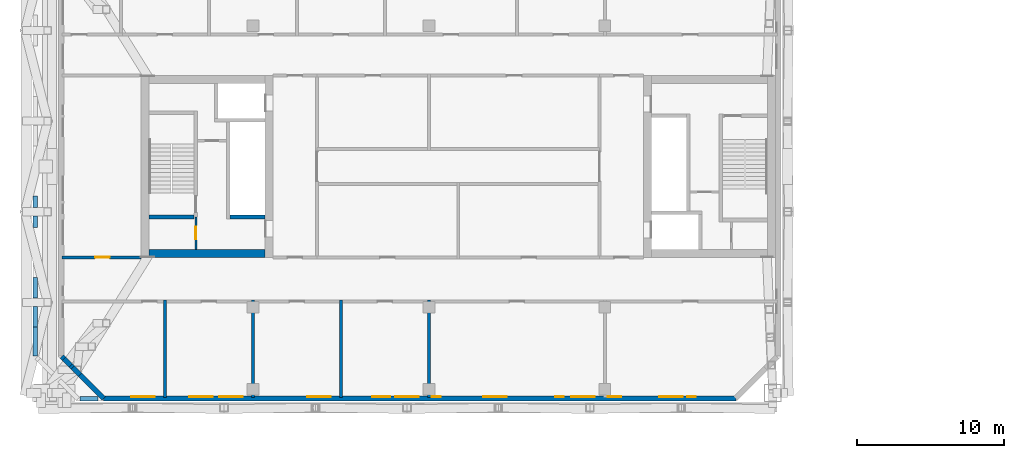
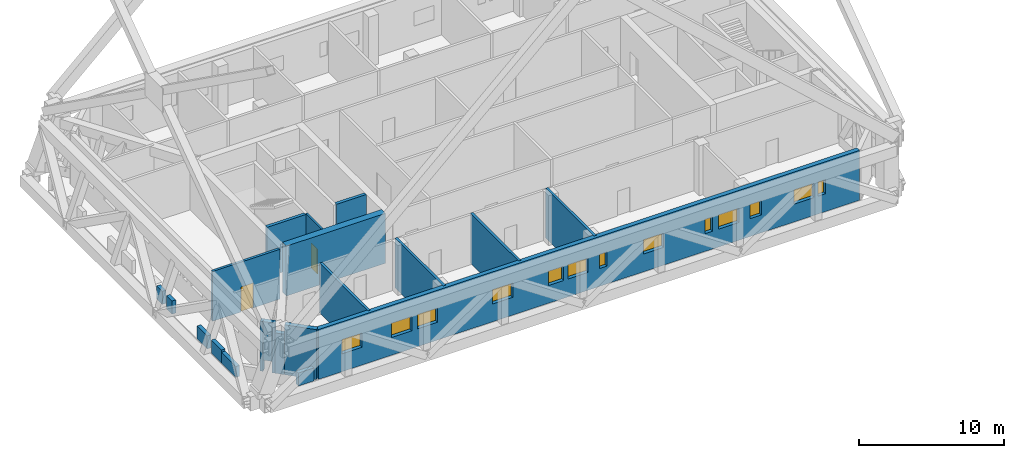
# One storey, part 7 of 22: 21 walls, 13 windows, 2 doors, 15 openings.
"""IFC4 building model written with IfcOpenShell, lengths in metres."""

import ifcopenshell
import ifcopenshell.guid

model = None  # the IFC model being written
_history = None  # IfcOwnerHistory: only IFC2X3 demands one
_inside = {}  # id of a spatial element -> (the spatial element, [elements in it])
_under = {}  # id of a project, library or spatial element -> (it, [spatial elements below it])
_declared = {}  # id of a project -> (the project, [libraries it declares])
_typed = {}  # id of a type object -> (the type object, [elements of that type])
_made_of = {}  # id of a material, layer set ... -> (it, [elements and type objects made of it])


def new_model(schema):
    """Start an empty IFC model of exactly this schema.

    Asked for "IFC4X3", IfcOpenShell would pick the latest addendum, in which some entities
    have other attributes; the version numbers below select the first issue.
    IFC2X3 requires an IfcOwnerHistory on every rooted entity: one is made here for all.
    """
    global model, _history
    if schema == "IFC4X3":
        model = ifcopenshell.file(schema_version=(4, 3, 0, 0))
    else:
        model = ifcopenshell.file(schema=schema)
    _inside.clear()
    _under.clear()
    _declared.clear()
    _typed.clear()
    _made_of.clear()
    _history = None
    if model.schema == "IFC2X3":
        org = make("IfcOrganization", Name="unknown")
        user = make(
            "IfcPersonAndOrganization",
            ThePerson=make("IfcPerson", FamilyName="unknown"),
            TheOrganization=org,
        )
        app = make(
            "IfcApplication",
            ApplicationDeveloper=org,
            Version="unknown",
            ApplicationFullName="unknown",
            ApplicationIdentifier="unknown",
        )
        _history = make(
            "IfcOwnerHistory",
            OwningUser=user,
            OwningApplication=app,
            ChangeAction="ADDED",
            CreationDate=0,
        )
    return model


def make(cls, **values):
    """One entity of the class cls with the attributes given. An attribute that is None is left unset."""
    return model.create_entity(
        cls, **{name: value for name, value in values.items() if value is not None}
    )


def rooted(cls, **values):
    """An entity with a GlobalId (a new one), such as an element, a storey or a relation."""
    return make(cls, GlobalId=ifcopenshell.guid.new(), OwnerHistory=_history, **values)


def si_unit(unit_type, name, prefix=None):
    """IfcSIUnit, for example si_unit("LENGTHUNIT", "METRE", prefix="MILLI")."""
    return make("IfcSIUnit", UnitType=unit_type, Prefix=prefix, Name=name)


def assignment(units):
    """IfcUnitAssignment: the units of a project."""
    return None if units is None else make("IfcUnitAssignment", Units=units)


def point(xyz):
    """IfcCartesianPoint."""
    return None if xyz is None else make("IfcCartesianPoint", Coordinates=xyz)


def direction(xyz):
    """IfcDirection."""
    return None if xyz is None else make("IfcDirection", DirectionRatios=xyz)


def frame(location, z_axis=None, x_axis=None):
    """IfcAxis2Placement3D, a coordinate frame: its origin and axes. An axis left out is left unset."""
    return make(
        "IfcAxis2Placement3D",
        Location=point(location),
        Axis=direction(z_axis),
        RefDirection=direction(x_axis),
    )


def frame_2d(location, x_axis=None):
    """IfcAxis2Placement2D, a coordinate frame in the plane: its origin and x axis."""
    return make(
        "IfcAxis2Placement2D", Location=point(location), RefDirection=direction(x_axis)
    )


def origin():
    """The frame at (0, 0, 0) with its axes left unset."""
    return frame((0.0, 0.0, 0.0))


def place(relative_to, where):
    """IfcLocalPlacement: puts the frame where relative to a parent placement (None: the world)."""
    return make(
        "IfcLocalPlacement", PlacementRelTo=relative_to, RelativePlacement=where
    )


def context(
    kind, dimensions, precision=None, world=None, true_north=None, identifier=None
):
    """IfcGeometricRepresentationContext, for example the 3D "Model" context."""
    return make(
        "IfcGeometricRepresentationContext",
        ContextIdentifier=identifier,
        ContextType=kind,
        CoordinateSpaceDimension=dimensions,
        Precision=precision,
        WorldCoordinateSystem=world,
        TrueNorth=true_north,
    )


def subcontext(parent, identifier, kind, view, scale=None):
    """IfcGeometricRepresentationSubContext, for example "Body" below "Model"."""
    return make(
        "IfcGeometricRepresentationSubContext",
        ContextIdentifier=identifier,
        ContextType=kind,
        ParentContext=parent,
        TargetScale=scale,
        TargetView=view,
    )


def project(units=None, contexts=None):
    """IfcProject with its units and contexts."""
    return rooted(
        "IfcProject",
        Name="project",
        RepresentationContexts=contexts,
        UnitsInContext=assignment(units),
    )


def spatial(cls, under=None, at=None, **own):
    """A site, building, storey or space (cls), placed at a placement, below another one or the project."""
    s = rooted(cls, ObjectPlacement=at, **own)
    if under is not None:
        _under.setdefault(under.id(), (under, []))[1].append(s)
    return s


def profile(cls, at=None, kind="AREA", **sizes):
    """A parametric profile (cls). Its sizes go by their IFC names, for example OverallWidth=200.0."""
    return make(cls, ProfileType=kind, Position=at, **sizes)


def rectangle(**sizes):
    """IfcRectangleProfileDef."""
    return profile("IfcRectangleProfileDef", **sizes)


def extrude(swept, where, along, depth):
    """IfcExtrudedAreaSolid: the profile swept, set in the frame where, extruded along a direction by depth."""
    return make(
        "IfcExtrudedAreaSolid",
        SweptArea=swept,
        Position=where,
        ExtrudedDirection=direction(along),
        Depth=depth,
    )


def shape(context_of_items, identifier, shape_type, items):
    """IfcShapeRepresentation: the items that make up one representation, for example the "Body"."""
    return make(
        "IfcShapeRepresentation",
        ContextOfItems=context_of_items,
        RepresentationIdentifier=identifier,
        RepresentationType=shape_type,
        Items=items,
    )


def material(Name=None, Category=None):
    """IfcMaterial."""
    return make("IfcMaterial", Name=Name, Category=Category)


def layer(
    of_material, thickness, ventilated=None, Name=None, Category=None, Priority=None
):
    """IfcMaterialLayer: one layer of a wall or slab, of a material (None: an air gap)."""
    return make(
        "IfcMaterialLayer",
        Material=of_material,
        LayerThickness=thickness,
        IsVentilated=ventilated,
        Name=Name,
        Category=Category,
        Priority=Priority,
    )


def layer_set(layers, Name=None):
    """IfcMaterialLayerSet."""
    return make("IfcMaterialLayerSet", MaterialLayers=layers, LayerSetName=Name)


def made_of(thing, what):
    """Note that an element or type object is made of a material, layer set ...; save() writes the relation."""
    if what is not None:
        _made_of.setdefault(what.id(), (what, []))[1].append(thing)
    return thing


def type_object(cls, material=None, **own):
    """A type object (cls), such as IfcWallType, which elements share."""
    return made_of(rooted(cls, **own), material)


def element(
    cls,
    number,
    at=None,
    inside=None,
    cuts=None,
    type_object=None,
    material=None,
    context=None,
    identifier="Body",
    shape_type=None,
    held_by="IfcProductDefinitionShape",
    body=None,
    shapes=None,
    **own,
):
    """One element of the class cls, such as IfcWall. Its Tag is "e" and its number.

    at: its placement. inside: the storey or other place that contains it. cuts: it is an
    opening in that element (IfcRelVoidsElement). A single representation is given by context,
    identifier, shape_type and body (its items); several are given by shapes. held_by: the class
    of the entity that holds the representations. save() writes the other relations.
    """
    e = rooted(cls, Tag="e%d" % number, ObjectPlacement=at, **own)
    if body is not None:
        shapes = [shape(context, identifier, shape_type, body)]
    if shapes is not None:
        e.Representation = make(held_by, Representations=shapes)
    if inside is not None:
        _inside.setdefault(inside.id(), (inside, []))[1].append(e)
    if cuts is not None:
        rooted(
            "IfcRelVoidsElement", RelatingBuildingElement=cuts, RelatedOpeningElement=e
        )
    if type_object is not None:
        _typed.setdefault(type_object.id(), (type_object, []))[1].append(e)
    return made_of(e, material)


def fill(opening, filler):
    """IfcRelFillsElement: the door or window that sits in an opening."""
    return rooted(
        "IfcRelFillsElement",
        RelatingOpeningElement=opening,
        RelatedBuildingElement=filler,
    )


def aggregate(whole, parts):
    """IfcRelAggregates: a whole, such as a stair, and the parts it consists of."""
    return rooted("IfcRelAggregates", RelatingObject=whole, RelatedObjects=parts)


def save(model, path):
    """Write the relations noted so far, then the file.

    IfcRelAggregates (storeys below a building ...), IfcRelContainedInSpatialStructure (elements
    in a storey), IfcRelDefinesByType, IfcRelAssociatesMaterial and IfcRelDeclares: one each for
    every whole, place, type object, material and project.
    """
    for whole, parts in _under.values():
        aggregate(whole, parts)
    for where, things in _inside.values():
        rooted(
            "IfcRelContainedInSpatialStructure",
            RelatedElements=things,
            RelatingStructure=where,
        )
    for kind, things in _typed.values():
        rooted("IfcRelDefinesByType", RelatedObjects=things, RelatingType=kind)
    for what, things in _made_of.values():
        rooted("IfcRelAssociatesMaterial", RelatedObjects=things, RelatingMaterial=what)
    for by, libraries in _declared.values():
        rooted("IfcRelDeclares", RelatingContext=by, RelatedDefinitions=libraries)
    model.write(path)


model = new_model("IFC4")

# Units and contexts
model_context = context("Model", 3, precision=1e-05, world=origin(), true_north=direction((0.0, 1.0)))
body_context = subcontext(model_context, "Body", "Model", "MODEL_VIEW")
ifc_project = project(units=[si_unit("LENGTHUNIT", "METRE"), si_unit("AREAUNIT", "SQUARE_METRE"), si_unit("VOLUMEUNIT", "CUBIC_METRE"), si_unit("PLANEANGLEUNIT", "RADIAN"), si_unit("MASSUNIT", "GRAM", prefix="KILO")], contexts=[model_context])

# Site, building, storey
site_placement = place(None, origin())
site = spatial("IfcSite", under=ifc_project, at=site_placement, CompositionType="ELEMENT")
building_placement = place(site_placement, origin())
building = spatial("IfcBuilding", under=site, at=building_placement, Name="Tuart Gate Housing", CompositionType="ELEMENT")
storey_placement = place(building_placement, frame((0.0, 0.0, 115.0)))
storey = spatial("IfcBuildingStorey", under=building, at=storey_placement, Name="L32", CompositionType="ELEMENT", Elevation=115.0)

# Walls
ifc_material_1 = material(Name="Brick", Category="masonry")
ifc_layer_1 = layer(ifc_material_1, 0.300048828125)
ifc_layer_set_1 = layer_set([ifc_layer_1], Name="Brick parapet wall 300")
wall_type_1 = type_object("IfcWallType", Name="Brick parapet wall 300", PredefinedType="PARAPET", material=ifc_layer_set_1)
for number, where, z_axis, x_axis, name in (
    (1, (25.14990234375, 67.96826171875, 0.0), (0.0, 0.0, 1.0), (0.0, -1.0, 0.0), "Roof parapet A 3"),
    (2, (25.14990234375, 66.626953125, 0.0), (0.0, 0.0, 1.0), (0.0, -1.0, 0.0), "Roof parapet A 3"),
):
    element("IfcWall", number, at=place(storey_placement, frame(where, z_axis=z_axis, x_axis=x_axis)), inside=storey, type_object=wall_type_1, Name=name, PredefinedType="PARAPET", context=body_context, shape_type="SweptSolid", body=[
        extrude(rectangle(XDim=0.775146484375, YDim=0.300048828125, at=frame_2d((0.3876953125, 0.0))), origin(), (0.0, 0.0, 1.0), 1.10009765625),
    ])
for number, where, z_axis, x_axis, name in (
    (3, (25.14990234375, 62.416015625, 0.0), (0.0, 0.0, 1.0), (0.0, -1.0, 0.0), "Roof parapet A 3"),
    (4, (25.14990234375, 60.447021484375, 0.0), (0.0, 0.0, 1.0), (0.0, -1.0, 0.0), "Roof parapet A 3"),
):
    element("IfcWall", number, at=place(storey_placement, frame(where, z_axis=z_axis, x_axis=x_axis)), inside=storey, type_object=wall_type_1, Name=name, PredefinedType="PARAPET", context=body_context, shape_type="SweptSolid", body=[
        extrude(rectangle(XDim=1.403076171875, YDim=0.300048828125, at=frame_2d((0.70166015625, 0.0))), origin(), (0.0, 0.0, 1.0), 1.10009765625),
    ])
wall_1_placement = place(storey_placement, frame((25.14990234375, 59.0439453125, 0.0), z_axis=(0.0, 0.0, 1.0), x_axis=(0.0, -1.0, 0.0)))
element("IfcWall", 5, at=wall_1_placement, inside=storey, type_object=wall_type_1, Name="Roof parapet A 3", PredefinedType="PARAPET", context=body_context, shape_type="SweptSolid", body=[
    extrude(rectangle(XDim=1.98193359375, YDim=0.300048828125, at=frame_2d((0.990966796875, 0.0))), origin(), (0.0, 0.0, 1.0), 0.91650390625),
])
wall_2_placement = place(storey_placement, frame((28.214111328125, 54.14990234375, 0.0), z_axis=(0.0, 0.0, 1.0), x_axis=(1.0, 0.0, 0.0)))
element("IfcWall", 6, at=wall_2_placement, inside=storey, type_object=wall_type_1, Name="Roof parapet A 5", PredefinedType="PARAPET", context=body_context, shape_type="SweptSolid", body=[
    extrude(rectangle(XDim=1.23583984375, YDim=0.300048828125, at=frame_2d((0.617919921875, 0.0))), origin(), (0.0, 0.0, 1.0), 1.10009765625),
])
ifc_material_2 = material(Name="Brick", Category="masonry")
ifc_layer_2 = layer(ifc_material_2, 0.360107421875)
ifc_layer_set_2 = layer_set([ifc_layer_2], Name="Brick pier and spandrel wall 360")
wall_type_2 = type_object("IfcWallType", Name="Brick pier and spandrel wall 360", PredefinedType="STANDARD", material=ifc_layer_set_2)
wall_3_placement = place(storey_placement, frame((26.96533203125, 57.039306640625, 0.0), z_axis=(0.0, 0.0, 1.0), x_axis=(0.707106781187, -0.707106781187, 0.0)))
element("IfcWall", 7, at=wall_3_placement, inside=storey, type_object=wall_type_2, Name="External wall A-SW L32", PredefinedType="STANDARD", context=body_context, shape_type="SweptSolid", body=[
    extrude(rectangle(XDim=0.224365234375, YDim=0.360107421875, at=frame_2d((0.1123046875, 0.0))), origin(), (0.0, 0.0, 1.0), 4.199951171875),
])
wall_4_placement = place(storey_placement, frame((27.1240234375, 56.880615234375, 0.952880859375), z_axis=(0.0, 0.0, 1.0), x_axis=(0.707106781187, -0.707106781187, 0.0)))
element("IfcWall", 8, at=wall_4_placement, inside=storey, type_object=wall_type_2, Name="External wall A-SW L32", PredefinedType="STANDARD", context=body_context, shape_type="SweptSolid", body=[
    extrude(rectangle(XDim=0.652099609375, YDim=0.360107421875, at=frame_2d((0.326171875, 0.0))), origin(), (0.0, 0.0, 1.0), 3.2470703125),
])
wall_5_placement = place(storey_placement, frame((27.585205078125, 56.41943359375, 0.0), z_axis=(0.0, 0.0, 1.0), x_axis=(0.707106781187, -0.707106781187, 0.0)))
element("IfcWall", 9, at=wall_5_placement, inside=storey, type_object=wall_type_2, Name="External wall A-SW L32", PredefinedType="STANDARD", context=body_context, shape_type="SweptSolid", body=[
    extrude(rectangle(XDim=0.18603515625, YDim=0.360107421875, at=frame_2d((0.093017578125, 0.0))), origin(), (0.0, 0.0, 1.0), 4.199951171875),
])
wall_6_placement = place(storey_placement, frame((27.716796875, 56.287841796875, 0.0), z_axis=(0.0, 0.0, 1.0), x_axis=(0.707106781187, -0.707106781187, 0.0)))
element("IfcWall", 10, at=wall_6_placement, inside=storey, type_object=wall_type_2, Name="External wall A-SW L32", PredefinedType="STANDARD", context=body_context, shape_type="SweptSolid", body=[
    extrude(rectangle(XDim=0.68994140625, YDim=0.360107421875, at=frame_2d((0.344970703125, 0.0))), origin(), (0.0, 0.0, 1.0), 3.39697265625),
])
wall_7_placement = place(storey_placement, frame((28.20458984375, 55.800048828125, 0.0), z_axis=(0.0, 0.0, 1.0), x_axis=(0.707106781187, -0.707106781187, 0.0)))
element("IfcWall", 11, at=wall_7_placement, inside=storey, type_object=wall_type_2, Name="External wall A-SW L32", PredefinedType="STANDARD", context=body_context, shape_type="SweptSolid", body=[
    extrude(rectangle(XDim=2.291259765625, YDim=0.360107421875, at=frame_2d((1.1455078125, 0.0))), origin(), (0.0, 0.0, 1.0), 4.199951171875),
])

# Wall, openings, windows
wall_8_placement = place(storey_placement, frame((29.82470703125, 54.179931640625, 0.0), z_axis=(0.0, 0.0, 1.0), x_axis=(1.0, 0.0, 0.0)))
wall_8 = element("IfcWall", 12, at=wall_8_placement, inside=storey, type_object=wall_type_2, Name="External wall A-S L32", PredefinedType="STANDARD", context=body_context, shape_type="SweptSolid", body=[
    extrude(rectangle(XDim=43.100830078125, YDim=0.360107421875, at=frame_2d((21.55029296875, 0.0))), origin(), (0.0, 0.0, 1.0), 4.199951171875),
])
opening_1_placement = place(wall_8_placement, frame((1.87548828125, 0.0, 1.5)))
opening_1 = element("IfcOpeningElement", 13, at=opening_1_placement, cuts=wall_8, Name="Opening W3", PredefinedType="OPENING", context=body_context, shape_type="SweptSolid", body=[
    extrude(rectangle(XDim=1.60009765625, YDim=1.199951171875, at=frame_2d((0.800048828125, 0.60009765625))), frame((0.0, 0.18994140625, 0.0), z_axis=(0.0, -1.0, 0.0), x_axis=(1.0, 0.0, 0.0)), (0.0, 0.0, 1.0), 0.380126953125),
])
opening_2_placement = place(wall_8_placement, frame((5.825439453125, 0.0, 1.5)))
opening_2 = element("IfcOpeningElement", 14, at=opening_2_placement, cuts=wall_8, Name="Opening W3", PredefinedType="OPENING", context=body_context, shape_type="SweptSolid", body=[
    extrude(rectangle(XDim=1.60009765625, YDim=1.199951171875, at=frame_2d((0.800048828125, 0.60009765625))), frame((0.0, 0.18994140625, 0.0), z_axis=(0.0, -1.0, 0.0), x_axis=(1.0, 0.0, 0.0)), (0.0, 0.0, 1.0), 0.380126953125),
])
opening_3_placement = place(wall_8_placement, frame((7.87548828125, 0.0, 1.5)))
opening_3 = element("IfcOpeningElement", 15, at=opening_3_placement, cuts=wall_8, Name="Opening W3", PredefinedType="OPENING", context=body_context, shape_type="SweptSolid", body=[
    extrude(rectangle(XDim=1.60009765625, YDim=1.199951171875, at=frame_2d((0.800048828125, 0.60009765625))), frame((0.0, 0.18994140625, 0.0), z_axis=(0.0, -1.0, 0.0), x_axis=(1.0, 0.0, 0.0)), (0.0, 0.0, 1.0), 0.380126953125),
])
opening_4_placement = place(wall_8_placement, frame((13.87548828125, 0.0, 1.5)))
opening_4 = element("IfcOpeningElement", 16, at=opening_4_placement, cuts=wall_8, Name="Opening W3", PredefinedType="OPENING", context=body_context, shape_type="SweptSolid", body=[
    extrude(rectangle(XDim=1.60009765625, YDim=1.199951171875, at=frame_2d((0.800048828125, 0.60009765625))), frame((0.0, 0.18994140625, 0.0), z_axis=(0.0, -1.0, 0.0), x_axis=(1.0, 0.0, 0.0)), (0.0, 0.0, 1.0), 0.380126953125),
])
opening_5_placement = place(wall_8_placement, frame((18.325439453125, 0.0, 1.5)))
opening_5 = element("IfcOpeningElement", 17, at=opening_5_placement, cuts=wall_8, Name="Opening W3A", PredefinedType="OPENING", context=body_context, shape_type="SweptSolid", body=[
    extrude(rectangle(XDim=1.199951171875, YDim=1.199951171875, at=frame_2d((0.60009765625, 0.60009765625))), frame((0.0, 0.18994140625, 0.0), z_axis=(0.0, -1.0, 0.0), x_axis=(1.0, 0.0, 0.0)), (0.0, 0.0, 1.0), 0.380126953125),
])
opening_6_placement = place(wall_8_placement, frame((19.87548828125, 0.0, 1.5)))
opening_6 = element("IfcOpeningElement", 18, at=opening_6_placement, cuts=wall_8, Name="Opening W3", PredefinedType="OPENING", context=body_context, shape_type="SweptSolid", body=[
    extrude(rectangle(XDim=1.60009765625, YDim=1.199951171875, at=frame_2d((0.800048828125, 0.60009765625))), frame((0.0, 0.18994140625, 0.0), z_axis=(0.0, -1.0, 0.0), x_axis=(1.0, 0.0, 0.0)), (0.0, 0.0, 1.0), 0.380126953125),
])
opening_7_placement = place(wall_8_placement, frame((22.37548828125, 0.0, 1.5)))
opening_7 = element("IfcOpeningElement", 19, at=opening_7_placement, cuts=wall_8, Name="Opening W3C", PredefinedType="OPENING", context=body_context, shape_type="SweptSolid", body=[
    extrude(rectangle(XDim=0.60009765625, YDim=1.199951171875, at=frame_2d((0.300048828125, 0.60009765625))), frame((0.0, 0.18994140625, 0.0), z_axis=(0.0, -1.0, 0.0), x_axis=(1.0, 0.0, 0.0)), (0.0, 0.0, 1.0), 0.380126953125),
])
opening_8_placement = place(wall_8_placement, frame((25.87548828125, 0.0, 1.5)))
opening_8 = element("IfcOpeningElement", 20, at=opening_8_placement, cuts=wall_8, Name="Opening W3", PredefinedType="OPENING", context=body_context, shape_type="SweptSolid", body=[
    extrude(rectangle(XDim=1.60009765625, YDim=1.199951171875, at=frame_2d((0.800048828125, 0.60009765625))), frame((0.0, 0.18994140625, 0.0), z_axis=(0.0, -1.0, 0.0), x_axis=(1.0, 0.0, 0.0)), (0.0, 0.0, 1.0), 0.380126953125),
])
opening_9_placement = place(wall_8_placement, frame((30.775390625, 0.0, 1.5)))
opening_9 = element("IfcOpeningElement", 21, at=opening_9_placement, cuts=wall_8, Name="Opening W3C", PredefinedType="OPENING", context=body_context, shape_type="SweptSolid", body=[
    extrude(rectangle(XDim=0.60009765625, YDim=1.199951171875, at=frame_2d((0.300048828125, 0.60009765625))), frame((0.0, 0.18994140625, 0.0), z_axis=(0.0, -1.0, 0.0), x_axis=(1.0, 0.0, 0.0)), (0.0, 0.0, 1.0), 0.380126953125),
])
opening_10_placement = place(wall_8_placement, frame((31.87548828125, 0.0, 1.5)))
opening_10 = element("IfcOpeningElement", 22, at=opening_10_placement, cuts=wall_8, Name="Opening W3", PredefinedType="OPENING", context=body_context, shape_type="SweptSolid", body=[
    extrude(rectangle(XDim=1.60009765625, YDim=1.199951171875, at=frame_2d((0.800048828125, 0.60009765625))), frame((0.0, 0.18994140625, 0.0), z_axis=(0.0, -1.0, 0.0), x_axis=(1.0, 0.0, 0.0)), (0.0, 0.0, 1.0), 0.380126953125),
])
opening_11_placement = place(wall_8_placement, frame((34.37548828125, 0.0, 1.5)))
opening_11 = element("IfcOpeningElement", 23, at=opening_11_placement, cuts=wall_8, Name="Opening W3B", PredefinedType="OPENING", context=body_context, shape_type="SweptSolid", body=[
    extrude(rectangle(XDim=0.89990234375, YDim=1.199951171875, at=frame_2d((0.449951171875, 0.60009765625))), frame((0.0, 0.18994140625, 0.0), z_axis=(0.0, -1.0, 0.0), x_axis=(1.0, 0.0, 0.0)), (0.0, 0.0, 1.0), 0.380126953125),
])
opening_12_placement = place(wall_8_placement, frame((37.87548828125, 0.0, 1.5)))
opening_12 = element("IfcOpeningElement", 24, at=opening_12_placement, cuts=wall_8, Name="Opening W3", PredefinedType="OPENING", context=body_context, shape_type="SweptSolid", body=[
    extrude(rectangle(XDim=1.60009765625, YDim=1.199951171875, at=frame_2d((0.800048828125, 0.60009765625))), frame((0.0, 0.18994140625, 0.0), z_axis=(0.0, -1.0, 0.0), x_axis=(1.0, 0.0, 0.0)), (0.0, 0.0, 1.0), 0.380126953125),
])
opening_13_placement = place(wall_8_placement, frame((39.775390625, 0.0, 1.5)))
opening_13 = element("IfcOpeningElement", 25, at=opening_13_placement, cuts=wall_8, Name="Opening W3C", PredefinedType="OPENING", context=body_context, shape_type="SweptSolid", body=[
    extrude(rectangle(XDim=0.60009765625, YDim=1.199951171875, at=frame_2d((0.300048828125, 0.60009765625))), frame((0.0, 0.18994140625, 0.0), z_axis=(0.0, -1.0, 0.0), x_axis=(1.0, 0.0, 0.0)), (0.0, 0.0, 1.0), 0.380126953125),
])
ifc_material_3 = material(Name="Aluminium louvre blades", Category="aluminium")
window_type_1 = type_object("IfcWindowType", Name="Louvre window 1200 x 1200", PartitioningType="DOUBLE_PANEL_HORIZONTAL", PredefinedType="WINDOW", material=ifc_material_3)
window_1_placement = place(opening_5_placement, origin())
window_1 = element("IfcWindow", 26, at=window_1_placement, inside=storey, type_object=window_type_1, Name="Louvre W3A", OverallHeight=1.199951171875, OverallWidth=1.199951171875, PartitioningType="DOUBLE_PANEL_HORIZONTAL", PredefinedType="WINDOW", context=body_context, shape_type="SweptSolid", body=[
    extrude(rectangle(XDim=1.199951171875, YDim=1.199951171875, at=frame_2d((0.60009765625, 0.60009765625))), frame((0.0, 0.150146484375, 0.0), z_axis=(0.0, -1.0, 0.0), x_axis=(1.0, 0.0, 0.0)), (0.0, 0.0, 1.0), 0.06005859375),
])
fill(opening_5, window_1)
ifc_material_4 = material(Name="Aluminium louvre blades", Category="aluminium")
window_type_2 = type_object("IfcWindowType", Name="Louvre window 1600 x 1200", PartitioningType="DOUBLE_PANEL_HORIZONTAL", PredefinedType="WINDOW", material=ifc_material_4)
window_2_placement = place(opening_1_placement, origin())
window_2 = element("IfcWindow", 27, at=window_2_placement, inside=storey, type_object=window_type_2, Name="Louvre W3", OverallHeight=1.199951171875, OverallWidth=1.60009765625, PartitioningType="DOUBLE_PANEL_HORIZONTAL", PredefinedType="WINDOW", context=body_context, shape_type="SweptSolid", body=[
    extrude(rectangle(XDim=1.60009765625, YDim=1.199951171875, at=frame_2d((0.800048828125, 0.60009765625))), frame((0.0, 0.150146484375, 0.0), z_axis=(0.0, -1.0, 0.0), x_axis=(1.0, 0.0, 0.0)), (0.0, 0.0, 1.0), 0.06005859375),
])
fill(opening_1, window_2)
window_3_placement = place(opening_2_placement, origin())
window_3 = element("IfcWindow", 28, at=window_3_placement, inside=storey, type_object=window_type_2, Name="Louvre W3", OverallHeight=1.199951171875, OverallWidth=1.60009765625, PartitioningType="DOUBLE_PANEL_HORIZONTAL", PredefinedType="WINDOW", context=body_context, shape_type="SweptSolid", body=[
    extrude(rectangle(XDim=1.60009765625, YDim=1.199951171875, at=frame_2d((0.800048828125, 0.60009765625))), frame((0.0, 0.150146484375, 0.0), z_axis=(0.0, -1.0, 0.0), x_axis=(1.0, 0.0, 0.0)), (0.0, 0.0, 1.0), 0.06005859375),
])
fill(opening_2, window_3)
window_4_placement = place(opening_3_placement, origin())
window_4 = element("IfcWindow", 29, at=window_4_placement, inside=storey, type_object=window_type_2, Name="Louvre W3", OverallHeight=1.199951171875, OverallWidth=1.60009765625, PartitioningType="DOUBLE_PANEL_HORIZONTAL", PredefinedType="WINDOW", context=body_context, shape_type="SweptSolid", body=[
    extrude(rectangle(XDim=1.60009765625, YDim=1.199951171875, at=frame_2d((0.800048828125, 0.60009765625))), frame((0.0, 0.150146484375, 0.0), z_axis=(0.0, -1.0, 0.0), x_axis=(1.0, 0.0, 0.0)), (0.0, 0.0, 1.0), 0.06005859375),
])
fill(opening_3, window_4)
window_5_placement = place(opening_4_placement, origin())
window_5 = element("IfcWindow", 30, at=window_5_placement, inside=storey, type_object=window_type_2, Name="Louvre W3", OverallHeight=1.199951171875, OverallWidth=1.60009765625, PartitioningType="DOUBLE_PANEL_HORIZONTAL", PredefinedType="WINDOW", context=body_context, shape_type="SweptSolid", body=[
    extrude(rectangle(XDim=1.60009765625, YDim=1.199951171875, at=frame_2d((0.800048828125, 0.60009765625))), frame((0.0, 0.150146484375, 0.0), z_axis=(0.0, -1.0, 0.0), x_axis=(1.0, 0.0, 0.0)), (0.0, 0.0, 1.0), 0.06005859375),
])
fill(opening_4, window_5)
window_6_placement = place(opening_6_placement, origin())
window_6 = element("IfcWindow", 31, at=window_6_placement, inside=storey, type_object=window_type_2, Name="Louvre W3", OverallHeight=1.199951171875, OverallWidth=1.60009765625, PartitioningType="DOUBLE_PANEL_HORIZONTAL", PredefinedType="WINDOW", context=body_context, shape_type="SweptSolid", body=[
    extrude(rectangle(XDim=1.60009765625, YDim=1.199951171875, at=frame_2d((0.800048828125, 0.60009765625))), frame((0.0, 0.150146484375, 0.0), z_axis=(0.0, -1.0, 0.0), x_axis=(1.0, 0.0, 0.0)), (0.0, 0.0, 1.0), 0.06005859375),
])
fill(opening_6, window_6)
window_7_placement = place(opening_8_placement, origin())
window_7 = element("IfcWindow", 32, at=window_7_placement, inside=storey, type_object=window_type_2, Name="Louvre W3", OverallHeight=1.199951171875, OverallWidth=1.60009765625, PartitioningType="DOUBLE_PANEL_HORIZONTAL", PredefinedType="WINDOW", context=body_context, shape_type="SweptSolid", body=[
    extrude(rectangle(XDim=1.60009765625, YDim=1.199951171875, at=frame_2d((0.800048828125, 0.60009765625))), frame((0.0, 0.150146484375, 0.0), z_axis=(0.0, -1.0, 0.0), x_axis=(1.0, 0.0, 0.0)), (0.0, 0.0, 1.0), 0.06005859375),
])
fill(opening_8, window_7)
window_8_placement = place(opening_10_placement, origin())
window_8 = element("IfcWindow", 33, at=window_8_placement, inside=storey, type_object=window_type_2, Name="Louvre W3", OverallHeight=1.199951171875, OverallWidth=1.60009765625, PartitioningType="DOUBLE_PANEL_HORIZONTAL", PredefinedType="WINDOW", context=body_context, shape_type="SweptSolid", body=[
    extrude(rectangle(XDim=1.60009765625, YDim=1.199951171875, at=frame_2d((0.800048828125, 0.60009765625))), frame((0.0, 0.150146484375, 0.0), z_axis=(0.0, -1.0, 0.0), x_axis=(1.0, 0.0, 0.0)), (0.0, 0.0, 1.0), 0.06005859375),
])
fill(opening_10, window_8)
window_9_placement = place(opening_12_placement, origin())
window_9 = element("IfcWindow", 34, at=window_9_placement, inside=storey, type_object=window_type_2, Name="Louvre W3", OverallHeight=1.199951171875, OverallWidth=1.60009765625, PartitioningType="DOUBLE_PANEL_HORIZONTAL", PredefinedType="WINDOW", context=body_context, shape_type="SweptSolid", body=[
    extrude(rectangle(XDim=1.60009765625, YDim=1.199951171875, at=frame_2d((0.800048828125, 0.60009765625))), frame((0.0, 0.150146484375, 0.0), z_axis=(0.0, -1.0, 0.0), x_axis=(1.0, 0.0, 0.0)), (0.0, 0.0, 1.0), 0.06005859375),
])
fill(opening_12, window_9)
ifc_material_5 = material(Name="Aluminium louvre blades", Category="aluminium")
window_type_3 = type_object("IfcWindowType", Name="Louvre window 600 x 1200", PartitioningType="DOUBLE_PANEL_HORIZONTAL", PredefinedType="WINDOW", material=ifc_material_5)
window_10_placement = place(opening_7_placement, origin())
window_10 = element("IfcWindow", 35, at=window_10_placement, inside=storey, type_object=window_type_3, Name="Louvre W3C", OverallHeight=1.199951171875, OverallWidth=0.60009765625, PartitioningType="DOUBLE_PANEL_HORIZONTAL", PredefinedType="WINDOW", context=body_context, shape_type="SweptSolid", body=[
    extrude(rectangle(XDim=0.60009765625, YDim=1.199951171875, at=frame_2d((0.300048828125, 0.60009765625))), frame((0.0, 0.150146484375, 0.0), z_axis=(0.0, -1.0, 0.0), x_axis=(1.0, 0.0, 0.0)), (0.0, 0.0, 1.0), 0.06005859375),
])
fill(opening_7, window_10)
window_11_placement = place(opening_9_placement, origin())
window_11 = element("IfcWindow", 36, at=window_11_placement, inside=storey, type_object=window_type_3, Name="Louvre W3C", OverallHeight=1.199951171875, OverallWidth=0.60009765625, PartitioningType="DOUBLE_PANEL_HORIZONTAL", PredefinedType="WINDOW", context=body_context, shape_type="SweptSolid", body=[
    extrude(rectangle(XDim=0.60009765625, YDim=1.199951171875, at=frame_2d((0.300048828125, 0.60009765625))), frame((0.0, 0.150146484375, 0.0), z_axis=(0.0, -1.0, 0.0), x_axis=(1.0, 0.0, 0.0)), (0.0, 0.0, 1.0), 0.06005859375),
])
fill(opening_9, window_11)
window_12_placement = place(opening_13_placement, origin())
window_12 = element("IfcWindow", 37, at=window_12_placement, inside=storey, type_object=window_type_3, Name="Louvre W3C", OverallHeight=1.199951171875, OverallWidth=0.60009765625, PartitioningType="DOUBLE_PANEL_HORIZONTAL", PredefinedType="WINDOW", context=body_context, shape_type="SweptSolid", body=[
    extrude(rectangle(XDim=0.60009765625, YDim=1.199951171875, at=frame_2d((0.300048828125, 0.60009765625))), frame((0.0, 0.150146484375, 0.0), z_axis=(0.0, -1.0, 0.0), x_axis=(1.0, 0.0, 0.0)), (0.0, 0.0, 1.0), 0.06005859375),
])
fill(opening_13, window_12)
ifc_material_6 = material(Name="Aluminium louvre blades", Category="aluminium")
window_type_4 = type_object("IfcWindowType", Name="Louvre window 900 x 1200", PartitioningType="DOUBLE_PANEL_HORIZONTAL", PredefinedType="WINDOW", material=ifc_material_6)
window_13_placement = place(opening_11_placement, origin())
window_13 = element("IfcWindow", 38, at=window_13_placement, inside=storey, type_object=window_type_4, Name="Louvre W3B", OverallHeight=1.199951171875, OverallWidth=0.89990234375, PartitioningType="DOUBLE_PANEL_HORIZONTAL", PredefinedType="WINDOW", context=body_context, shape_type="SweptSolid", body=[
    extrude(rectangle(XDim=0.89990234375, YDim=1.199951171875, at=frame_2d((0.449951171875, 0.60009765625))), frame((0.0, 0.150146484375, 0.0), z_axis=(0.0, -1.0, 0.0), x_axis=(1.0, 0.0, 0.0)), (0.0, 0.0, 1.0), 0.06005859375),
])
fill(opening_11, window_13)

# Wall, opening, door
ifc_material_7 = material(Name="Plasterboard partition")
ifc_layer_3 = layer(ifc_material_7, 0.14990234375)
ifc_layer_set_3 = layer_set([ifc_layer_3], Name="Core partition 150")
wall_type_3 = type_object("IfcWallType", Name="Core partition 150", PredefinedType="PARTITIONING", material=ifc_layer_set_3)
wall_9_placement = place(storey_placement, frame((36.110107421875, 66.550048828125, 0.0), z_axis=(0.0, 0.0, 1.0), x_axis=(0.0, -1.0, 0.0)))
wall_9 = element("IfcWall", 39, at=wall_9_placement, inside=storey, type_object=wall_type_3, Name="Core partition AK.9", PredefinedType="PARTITIONING", context=body_context, shape_type="SweptSolid", body=[
    extrude(rectangle(XDim=2.199951171875, YDim=0.14990234375, at=frame_2d((1.10009765625, 0.0))), origin(), (0.0, 0.0, 1.0), 4.199951171875),
])
opening_14_placement = place(wall_9_placement, frame((0.675048828125, 0.0, 0.0)))
opening_14 = element("IfcOpeningElement", 40, at=opening_14_placement, cuts=wall_9, Name="Opening D3395", PredefinedType="OPENING", context=body_context, shape_type="SweptSolid", body=[
    extrude(rectangle(XDim=0.85009765625, YDim=2.10009765625, at=frame_2d((0.425048828125, 1.050048828125))), frame((0.0, 0.0849609375, 0.0), z_axis=(0.0, -1.0, 0.0), x_axis=(1.0, 0.0, 0.0)), (0.0, 0.0, 1.0), 0.169921875),
])
ifc_material_8 = material(Name="Steel fire door", Category="steel")
door_type_1 = type_object("IfcDoorType", Name="Service door 850 x 2100 RH", OperationType="SINGLE_SWING_RIGHT", PredefinedType="DOOR", material=ifc_material_8)
door_1_placement = place(opening_14_placement, frame((0.85009765625, 0.0, 0.0), z_axis=(0.0, 0.0, 1.0), x_axis=(-1.0, 0.0, 0.0)))
door_1 = element("IfcDoor", 41, at=door_1_placement, inside=storey, type_object=door_type_1, Name="Service room door AK.ST", OperationType="SINGLE_SWING_RIGHT", OverallHeight=2.10009765625, OverallWidth=0.85009765625, PredefinedType="DOOR", context=body_context, shape_type="SweptSolid", body=[
    extrude(rectangle(XDim=0.85009765625, YDim=2.10009765625, at=frame_2d((0.425048828125, 1.050048828125))), frame((0.0, 0.025146484375, 0.0), z_axis=(0.0, -1.0, 0.0), x_axis=(1.0, 0.0, 0.0)), (0.0, 0.0, 1.0), 0.050048828125),
])
fill(opening_14, door_1)

# Walls
ifc_material_9 = material(Name="Concrete C50", Category="concrete")
ifc_layer_4 = layer(ifc_material_9, 0.25)
ifc_layer_set_4 = layer_set([ifc_layer_4], Name="Core wall 250 C50")
wall_type_4 = type_object("IfcWallType", Name="Core wall 250 C50", PredefinedType="SHEAR", material=ifc_layer_set_4)
wall_10_placement = place(storey_placement, frame((40.81005859375, 66.550048828125, 0.0), z_axis=(0.0, 0.0, 1.0), x_axis=(-1.0, 0.0, 0.0)))
element("IfcWall", 42, at=wall_10_placement, inside=storey, type_object=wall_type_4, Name="Core wall AK.4", PredefinedType="SHEAR", context=body_context, shape_type="SweptSolid", body=[
    extrude(rectangle(XDim=2.375, YDim=0.25, at=frame_2d((1.1875, 0.0))), origin(), (0.0, 0.0, 1.0), 4.199951171875),
])
wall_11_placement = place(storey_placement, frame((35.985107421875, 66.550048828125, 0.0), z_axis=(0.0, 0.0, 1.0), x_axis=(-1.0, 0.0, 0.0)))
element("IfcWall", 43, at=wall_11_placement, inside=storey, type_object=wall_type_4, Name="Core wall AK.5", PredefinedType="SHEAR", context=body_context, shape_type="SweptSolid", body=[
    extrude(rectangle(XDim=3.0751953125, YDim=0.25, at=frame_2d((1.53759765625, 0.0))), origin(), (0.0, 0.0, 1.0), 4.199951171875),
])
ifc_material_10 = material(Name="Concrete C50", Category="concrete")
ifc_layer_5 = layer(ifc_material_10, 0.550048828125)
ifc_layer_set_5 = layer_set([ifc_layer_5], Name="Core wall 550 C50")
wall_type_5 = type_object("IfcWallType", Name="Core wall 550 C50", PredefinedType="SHEAR", material=ifc_layer_set_5)
wall_12_placement = place(storey_placement, frame((40.81005859375, 64.074951171875, 0.0), z_axis=(0.0, 0.0, 1.0), x_axis=(-1.0, 0.0, 0.0)))
element("IfcWall", 44, at=wall_12_placement, inside=storey, type_object=wall_type_5, Name="Core wall AK north", PredefinedType="SHEAR", context=body_context, shape_type="SweptSolid", body=[
    extrude(rectangle(XDim=7.900146484375, YDim=0.550048828125, at=frame_2d((3.9501953125, 0.0))), origin(), (0.0, 0.0, 1.0), 4.199951171875),
])

# Wall, opening, door
ifc_material_11 = material(Name="Concrete masonry 15 MPa", Category="masonry")
ifc_layer_6 = layer(ifc_material_11, 0.199951171875)
ifc_layer_set_6 = layer_set([ifc_layer_6], Name="Enclosure wall masonry 200")
wall_type_6 = type_object("IfcWallType", Name="Enclosure wall masonry 200", PredefinedType="PARTITIONING", material=ifc_layer_set_6)
wall_13_placement = place(storey_placement, frame((26.989990234375, 63.800048828125, 0.0), z_axis=(0.0, 0.0, 1.0), x_axis=(1.0, 0.0, 0.0)))
wall_13 = element("IfcWall", 45, at=wall_13_placement, inside=storey, type_object=wall_type_6, Name="Enclosure wall masonry 200", PredefinedType="PARTITIONING", context=body_context, shape_type="SweptSolid", body=[
    extrude(rectangle(XDim=5.3701171875, YDim=0.199951171875, at=frame_2d((2.68505859375, 0.0))), origin(), (0.0, 0.0, 1.0), 4.199951171875),
])
opening_15_placement = place(wall_13_placement, frame((2.2451171875, 0.0, 0.0)))
opening_15 = element("IfcOpeningElement", 46, at=opening_15_placement, cuts=wall_13, Name="Opening D3397", PredefinedType="OPENING", context=body_context, shape_type="SweptSolid", body=[
    extrude(rectangle(XDim=1.0, YDim=2.10009765625, at=frame_2d((0.5, 1.050048828125))), frame((0.0, 0.10986328125, 0.0), z_axis=(0.0, -1.0, 0.0), x_axis=(1.0, 0.0, 0.0)), (0.0, 0.0, 1.0), 0.219970703125),
])
ifc_material_12 = material(Name="Timber door leaf in steel frame", Category="steel")
door_type_2 = type_object("IfcDoorType", Name="Fire door 1000", OperationType="SINGLE_SWING_LEFT", PredefinedType="DOOR", material=ifc_material_12)
door_2_placement = place(opening_15_placement, origin())
door_2 = element("IfcDoor", 47, at=door_2_placement, inside=storey, type_object=door_type_2, Name="Fire door 1000", OperationType="SINGLE_SWING_LEFT", OverallHeight=2.10009765625, OverallWidth=1.0, PredefinedType="DOOR", context=body_context, shape_type="SweptSolid", body=[
    extrude(rectangle(XDim=1.0, YDim=2.10009765625, at=frame_2d((0.5, 1.050048828125))), frame((0.0, 0.02490234375, 0.0), z_axis=(0.0, -1.0, 0.0), x_axis=(1.0, 0.0, 0.0)), (0.0, 0.0, 1.0), 0.050048828125),
])
fill(opening_15, door_2)

# Walls
for number, where, z_axis, x_axis, name in (
    (48, (34.0, 54.239990234375, 0.0), (0.0, 0.0, 1.0), (0.0, 1.0, 0.0), "Enclosure wall masonry 200"),
    (49, (40.0, 54.239990234375, 0.0), (0.0, 0.0, 1.0), (0.0, 1.0, 0.0), "Enclosure wall masonry 200"),
    (50, (46.0, 54.239990234375, 0.0), (0.0, 0.0, 1.0), (0.0, 1.0, 0.0), "Enclosure wall masonry 200"),
    (51, (52.0, 54.239990234375, 0.0), (0.0, 0.0, 1.0), (0.0, 1.0, 0.0), "Enclosure wall masonry 200"),
):
    element("IfcWall", number, at=place(storey_placement, frame(where, z_axis=z_axis, x_axis=x_axis)), inside=storey, type_object=wall_type_6, Name=name, PredefinedType="PARTITIONING", context=body_context, shape_type="SweptSolid", body=[
        extrude(rectangle(XDim=6.659912109375, YDim=0.199951171875, at=frame_2d((3.330078125, 0.0))), origin(), (0.0, 0.0, 1.0), 4.199951171875),
    ])

save(model, "model.ifc")
